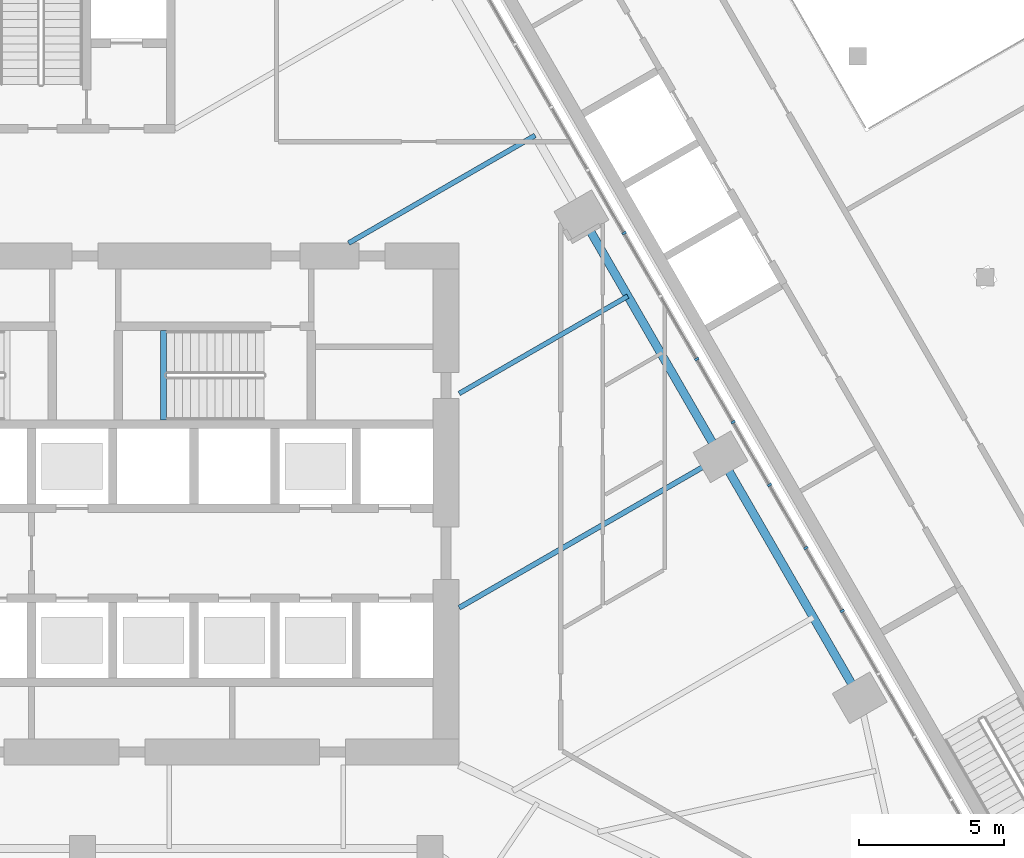
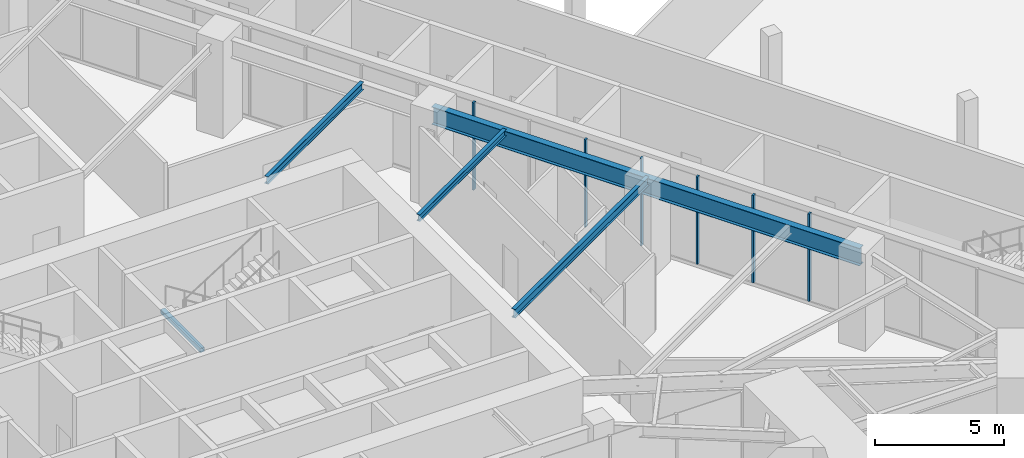
# One storey, part 8 of 30: 6 members, 5 beams, 1 element without a shape of its own.
"""IFC4 building model written with IfcOpenShell, lengths in metres."""

from ifc_helpers import new_model, si_unit, direction, frame, origin, origin_2d, place, context, subcontext, project, spatial, rectangle, i_section, extrude, material, layer, layer_set, material_profile, profile_set, type_object, element, aggregate, save


model = new_model("IFC4")

# Units and contexts
model_context = context("Model", 3, precision=1e-05, world=origin(), true_north=direction((0.0, 1.0)))
body_context = subcontext(model_context, "Body", "Model", "MODEL_VIEW")
ifc_project = project(units=[si_unit("LENGTHUNIT", "METRE"), si_unit("AREAUNIT", "SQUARE_METRE"), si_unit("VOLUMEUNIT", "CUBIC_METRE"), si_unit("PLANEANGLEUNIT", "RADIAN"), si_unit("MASSUNIT", "GRAM", prefix="KILO")], contexts=[model_context])

# Site, building, storey
site_placement = place(None, origin())
site = spatial("IfcSite", under=ifc_project, at=site_placement, CompositionType="ELEMENT")
building_placement = place(site_placement, origin())
building = spatial("IfcBuilding", under=site, at=building_placement, Name="Firuza Gate Tower and Library", CompositionType="ELEMENT")
storey_placement = place(building_placement, frame((0.0, 0.0, 12.60009765625)))
storey = spatial("IfcBuildingStorey", under=building, at=storey_placement, Name="L02", CompositionType="ELEMENT", Elevation=12.60009765625)

# Curtain wall, members
ifc_material_1 = material(Name="Aluminium 6063-T6", Category="aluminium")
ifc_layer = layer(ifc_material_1, 0.14990234375)
ifc_layer_set = layer_set([ifc_layer], Name="Stick curtain wall, podium")
curtain_wall_type = type_object("IfcCurtainWallType", Name="Stick curtain wall, podium", PredefinedType="NOTDEFINED", material=ifc_layer_set)
curtain_wall_placement = place(storey_placement, origin())
curtain_wall = element("IfcCurtainWall", 1, at=curtain_wall_placement, inside=storey, type_object=curtain_wall_type, Name="CW5 L02 E", PredefinedType="NOTDEFINED")
ifc_material_2 = material(Name="Aluminium 6063-T6", Category="aluminium")
ifc_material_profile_1 = material_profile(ifc_material_2, rectangle(XDim=0.14990234375, YDim=0.080078125, at=origin_2d()))
ifc_profile_set_1 = profile_set([ifc_material_profile_1], Name="Aluminium 6063-T6")
member_type = type_object("IfcMemberType", Name="Curtain wall mullion 80x150", PredefinedType="MULLION", material=ifc_profile_set_1)
member_1_placement = place(storey_placement, frame((101.21630859375, 71.311279296875, 0.14990234375), z_axis=(0.0, 0.0, 1.0), x_axis=(-0.866025403784, -0.5, 0.0)))
member_1 = element("IfcMember", 2, at=member_1_placement, type_object=member_type, Name="Mullion", PredefinedType="MULLION", context=body_context, shape_type="SweptSolid", body=[
    extrude(rectangle(XDim=0.14990234375, YDim=0.080078125, at=origin_2d()), origin(), (0.0, 0.0, 1.0), 4.14990234375),
])
member_2_placement = place(storey_placement, frame((99.962158203125, 73.4833984375, 0.14990234375), z_axis=(0.0, 0.0, 1.0), x_axis=(-0.866025403784, -0.5, 0.0)))
member_2 = element("IfcMember", 3, at=member_2_placement, type_object=member_type, Name="Mullion", PredefinedType="MULLION", context=body_context, shape_type="SweptSolid", body=[
    extrude(rectangle(XDim=0.14990234375, YDim=0.080078125, at=origin_2d()), origin(), (0.0, 0.0, 1.0), 4.14990234375),
])
member_3_placement = place(storey_placement, frame((98.708251953125, 75.655517578125, 0.14990234375), z_axis=(0.0, 0.0, 1.0), x_axis=(-0.866025403784, -0.5, 0.0)))
member_3 = element("IfcMember", 4, at=member_3_placement, type_object=member_type, Name="Mullion", PredefinedType="MULLION", context=body_context, shape_type="SweptSolid", body=[
    extrude(rectangle(XDim=0.14990234375, YDim=0.080078125, at=origin_2d()), origin(), (0.0, 0.0, 1.0), 4.14990234375),
])
member_4_placement = place(storey_placement, frame((97.4541015625, 77.827392578125, 0.14990234375), z_axis=(0.0, 0.0, 1.0), x_axis=(-0.866025403784, -0.5, 0.0)))
member_4 = element("IfcMember", 5, at=member_4_placement, type_object=member_type, Name="Mullion", PredefinedType="MULLION", context=body_context, shape_type="SweptSolid", body=[
    extrude(rectangle(XDim=0.14990234375, YDim=0.080078125, at=origin_2d()), origin(), (0.0, 0.0, 1.0), 4.14990234375),
])
member_5_placement = place(storey_placement, frame((96.2001953125, 79.99951171875, 0.14990234375), z_axis=(0.0, 0.0, 1.0), x_axis=(-0.866025403784, -0.5, 0.0)))
member_5 = element("IfcMember", 6, at=member_5_placement, type_object=member_type, Name="Mullion", PredefinedType="MULLION", context=body_context, shape_type="SweptSolid", body=[
    extrude(rectangle(XDim=0.14990234375, YDim=0.080078125, at=origin_2d()), origin(), (0.0, 0.0, 1.0), 4.14990234375),
])
member_6_placement = place(storey_placement, frame((93.69189453125, 84.34375, 0.14990234375), z_axis=(0.0, 0.0, 1.0), x_axis=(-0.866025403784, -0.5, 0.0)))
member_6 = element("IfcMember", 7, at=member_6_placement, type_object=member_type, Name="Mullion", PredefinedType="MULLION", context=body_context, shape_type="SweptSolid", body=[
    extrude(rectangle(XDim=0.14990234375, YDim=0.080078125, at=origin_2d()), origin(), (0.0, 0.0, 1.0), 4.14990234375),
])
aggregate(curtain_wall, [member_1, member_2, member_3, member_4, member_5, member_6])

# Beams
ifc_material_3 = material(Name="Concrete C35/45", Category="concrete")
ifc_material_profile_2 = material_profile(ifc_material_3, rectangle(XDim=0.199951171875, YDim=0.199951171875, at=origin_2d()))
ifc_profile_set_2 = profile_set([ifc_material_profile_2], Name="Concrete C35/45")
beam_type_1 = type_object("IfcBeamType", Name="Stair landing bearer 200x200", PredefinedType="BEAM", material=ifc_profile_set_2)
beam_1_placement = place(storey_placement, frame((77.800048828125, 80.97998046875, 2.0), z_axis=(0.0, -1.0, 0.0), x_axis=(1.0, 0.0, 0.0)))
element("IfcBeam", 8, at=beam_1_placement, inside=storey, type_object=beam_type_1, Name="Landing bearer L02 stair 2", PredefinedType="BEAM", context=body_context, shape_type="SweptSolid", body=[
    extrude(rectangle(XDim=0.199951171875, YDim=0.199951171875, at=origin_2d()), origin(), (0.0, 0.0, 1.0), 3.080078125),
])
ifc_material_4 = material(Name="Steel S355", Category="steel")
ifc_material_profile_3 = material_profile(ifc_material_4, i_section(OverallWidth=0.1650390625, OverallDepth=0.31005859375, WebThickness=0.005859375, FlangeThickness=0.009765625, at=origin_2d()))
ifc_profile_set_3 = profile_set([ifc_material_profile_3], Name="Steel S355")
beam_type_2 = type_object("IfcBeamType", Name="W310x39 Floor beam", PredefinedType="JOIST", material=ifc_profile_set_3)
beam_2_placement = place(storey_placement, frame((93.820556640625, 82.171142578125, 4.14501953125), z_axis=(-0.866019234261, -0.500010685776, 0.0), x_axis=(0.500010685776, -0.866019234261, 0.0)))
element("IfcBeam", 9, at=beam_2_placement, inside=storey, type_object=beam_type_2, Name="Floor beam L02 s72", PredefinedType="JOIST", context=body_context, shape_type="SweptSolid", body=[
    extrude(i_section(OverallWidth=0.1650390625, OverallDepth=0.31005859375, WebThickness=0.005859375, FlangeThickness=0.009765625, at=origin_2d()), origin(), (0.0, 0.0, 1.0), 6.720947265625),
])
ifc_material_5 = material(Name="Steel S355", Category="steel")
ifc_material_profile_4 = material_profile(ifc_material_5, i_section(OverallWidth=0.1708984375, OverallDepth=0.35498046875, WebThickness=0.007080078125, FlangeThickness=0.01171875, at=origin_2d()))
ifc_profile_set_4 = profile_set([ifc_material_profile_4], Name="Steel S355")
beam_type_3 = type_object("IfcBeamType", Name="W360x51 Floor beam", PredefinedType="JOIST", material=ifc_profile_set_4)
beam_3_placement = place(storey_placement, frame((90.62060546875, 87.713623046875, 4.122314453125), z_axis=(-0.866023556141, -0.500003200199, 0.0), x_axis=(0.500003200199, -0.866023556141, 0.0)))
element("IfcBeam", 10, at=beam_3_placement, inside=storey, type_object=beam_type_3, Name="Floor beam L02 s73", PredefinedType="JOIST", context=body_context, shape_type="SweptSolid", body=[
    extrude(i_section(OverallWidth=0.1708984375, OverallDepth=0.35498046875, WebThickness=0.007080078125, FlangeThickness=0.01171875, at=origin_2d()), origin(), (0.0, 0.0, 1.0), 7.42724609375),
])
ifc_material_6 = material(Name="Steel S355", Category="steel")
ifc_material_profile_5 = material_profile(ifc_material_6, i_section(OverallWidth=0.177978515625, OverallDepth=0.406982421875, WebThickness=0.0078125, FlangeThickness=0.0126953125, at=origin_2d()))
ifc_profile_set_5 = profile_set([ifc_material_profile_5], Name="Steel S355")
beam_type_4 = type_object("IfcBeamType", Name="W410x60 Floor beam", PredefinedType="JOIST", material=ifc_profile_set_5)
beam_4_placement = place(storey_placement, frame((97.0205078125, 76.62841796875, 4.096435546875), z_axis=(-0.866024771944, -0.500001094379, 0.0), x_axis=(0.500001094379, -0.866024771944, 0.0)))
element("IfcBeam", 11, at=beam_4_placement, inside=storey, type_object=beam_type_4, Name="Floor beam L02 s71", PredefinedType="JOIST", context=body_context, shape_type="SweptSolid", body=[
    extrude(i_section(OverallWidth=0.177978515625, OverallDepth=0.406982421875, WebThickness=0.0078125, FlangeThickness=0.0126953125, at=origin_2d()), origin(), (0.0, 0.0, 1.0), 10.416015625),
])
ifc_material_7 = material(Name="Steel S355", Category="steel")
ifc_material_profile_6 = material_profile(ifc_material_7, i_section(OverallWidth=0.2919921875, OverallDepth=0.8349609375, WebThickness=0.013916015625, FlangeThickness=0.018798828125, at=origin_2d()))
ifc_profile_set_6 = profile_set([ifc_material_profile_6], Name="Steel S355")
beam_type_5 = type_object("IfcBeamType", Name="W840x176 Edge beam", PredefinedType="SPANDREL", material=ifc_profile_set_6)
beam_5_placement = place(storey_placement, frame((101.820556640625, 68.314697265625, 3.88232421875), z_axis=(-0.500003864429, 0.866023172644, 0.0), x_axis=(-0.866023172644, -0.500003864429, 0.0)))
element("IfcBeam", 12, at=beam_5_placement, inside=storey, type_object=beam_type_5, Name="Edge beam L02 e70", PredefinedType="SPANDREL", context=body_context, shape_type="SweptSolid", body=[
    extrude(i_section(OverallWidth=0.2919921875, OverallDepth=0.8349609375, WebThickness=0.013916015625, FlangeThickness=0.018798828125, at=origin_2d()), origin(), (0.0, 0.0, 1.0), 19.199951171875),
])

save(model, "model.ifc")
